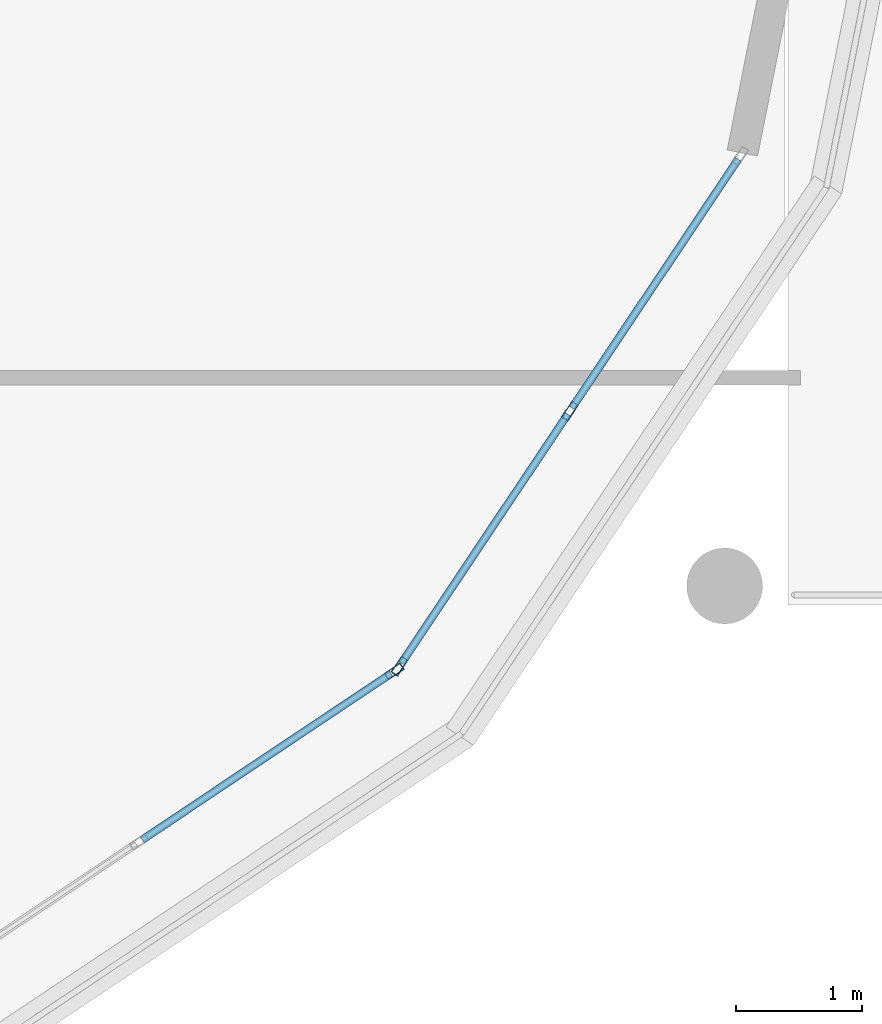
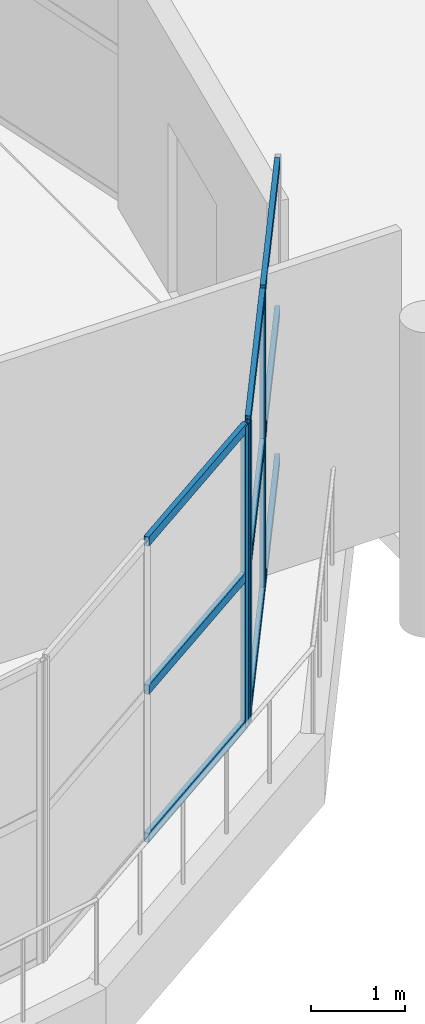
# One storey, part 24 of 50: 12 members, 2 elements without a shape of their own.
"""IFC4 building model written with IfcOpenShell, lengths in metres."""

from ifc_helpers import new_model, si_unit, direction, frame, origin, origin_2d, place, context, subcontext, project, spatial, hollow_rectangle, extrude, material, layer, layer_set, material_profile, profile_set, type_object, element, aggregate, save


model = new_model("IFC4")

# Units and contexts
model_context = context("Model", 3, precision=1e-05, world=origin(), true_north=direction((0.0, 1.0)))
body_context = subcontext(model_context, "Body", "Model", "MODEL_VIEW")
ifc_project = project(units=[si_unit("LENGTHUNIT", "METRE"), si_unit("AREAUNIT", "SQUARE_METRE"), si_unit("VOLUMEUNIT", "CUBIC_METRE"), si_unit("PLANEANGLEUNIT", "RADIAN"), si_unit("MASSUNIT", "GRAM", prefix="KILO")], contexts=[model_context])

# Site, building, storey
site_placement = place(None, origin())
site = spatial("IfcSite", under=ifc_project, at=site_placement, CompositionType="ELEMENT")
building_placement = place(site_placement, origin())
building = spatial("IfcBuilding", under=site, at=building_placement, Name="Zizhar Promenade General Hospital", CompositionType="ELEMENT")
storey_placement = place(building_placement, frame((0.0, 0.0, 30.60009765625)))
storey = spatial("IfcBuildingStorey", under=building, at=storey_placement, Name="L07", CompositionType="ELEMENT", Elevation=30.60009765625)

# Curtain wall, member
ifc_material_1 = material(Name="Anodised aluminium 6063-T6 and low-E glass", Category="aluminium")
ifc_layer = layer(ifc_material_1, 0.159912109375)
ifc_layer_set = layer_set([ifc_layer], Name="Anodised aluminium 6063-T6 and low-E glass")
curtain_wall_type = type_object("IfcCurtainWallType", Name="CW-WARD-ARC", PredefinedType="NOTDEFINED", material=ifc_layer_set)
curtain_wall_1_placement = place(storey_placement, origin())
curtain_wall_1 = element("IfcCurtainWall", 1, at=curtain_wall_1_placement, inside=storey, type_object=curtain_wall_type, Name="Ward Semicircular End Glazing L07-02", PredefinedType="NOTDEFINED")
ifc_material_2 = material(Name="Anodised aluminium 6063-T6", Category="aluminium")
ifc_material_profile_1 = material_profile(ifc_material_2, hollow_rectangle(XDim=0.06005859375, YDim=0.14990234375, WallThickness=0.00390625, at=origin_2d()))
ifc_profile_set_1 = profile_set([ifc_material_profile_1], Name="Anodised aluminium 6063-T6")
member_type_1 = type_object("IfcMemberType", Name="CWM-ALU-150x60", PredefinedType="MULLION", material=ifc_profile_set_1)
member_1_placement = place(storey_placement, frame((116.08447265625, 3.673828125, 0.0), z_axis=(0.0, 0.0, 1.0), x_axis=(0.555582352095, -0.831461514468, 0.0)))
member_1 = element("IfcMember", 2, at=member_1_placement, type_object=member_type_1, Name="CW-12 mullion 1", PredefinedType="MULLION", context=body_context, shape_type="SweptSolid", body=[
    extrude(hollow_rectangle(XDim=0.06005859375, YDim=0.14990234375, WallThickness=0.00390625, at=origin_2d()), origin(), (0.0, 0.0, 1.0), 3.89990234375),
])

# Curtain wall, members
curtain_wall_2_placement = place(storey_placement, origin())
curtain_wall_2 = element("IfcCurtainWall", 3, at=curtain_wall_2_placement, inside=storey, type_object=curtain_wall_type, Name="Ward Semicircular End Glazing L07-03", PredefinedType="NOTDEFINED")
member_2_placement = place(storey_placement, frame((117.47509765625, 5.734375, 0.0), z_axis=(0.0, 0.0, 1.0), x_axis=(0.831461514468, -0.555582352095, 0.0)))
member_2 = element("IfcMember", 4, at=member_2_placement, type_object=member_type_1, Name="CW-12 mullion 2", PredefinedType="MULLION", context=body_context, shape_type="SweptSolid", body=[
    extrude(hollow_rectangle(XDim=0.06005859375, YDim=0.14990234375, WallThickness=0.00390625, at=origin_2d()), origin(), (0.0, 0.0, 1.0), 3.89990234375),
])
member_3_placement = place(storey_placement, frame((116.126220703125, 3.71533203125, 0.0), z_axis=(0.0, 0.0, 1.0), x_axis=(0.831461514468, -0.555582352095, 0.0)))
member_3 = element("IfcMember", 5, at=member_3_placement, type_object=member_type_1, Name="CW-12 mullion 3", PredefinedType="MULLION", context=body_context, shape_type="SweptSolid", body=[
    extrude(hollow_rectangle(XDim=0.06005859375, YDim=0.14990234375, WallThickness=0.00390625, at=origin_2d()), origin(), (0.0, 0.0, 1.0), 3.89990234375),
])

# Member
ifc_material_3 = material(Name="Anodised aluminium 6063-T6", Category="aluminium")
ifc_material_profile_2 = material_profile(ifc_material_3, hollow_rectangle(XDim=0.06005859375, YDim=0.1201171875, WallThickness=0.00390625, at=origin_2d()))
ifc_profile_set_2 = profile_set([ifc_material_profile_2], Name="Anodised aluminium 6063-T6")
member_type_2 = type_object("IfcMemberType", Name="CWT-ALU-120x60", PredefinedType="USERDEFINED", material=ifc_profile_set_2)
member_4_placement = place(storey_placement, frame((116.0595703125, 3.6572265625, 0.02978515625), z_axis=(-0.831462978956, -0.555580160396, 0.0), x_axis=(0.555580160396, -0.831462978956, 0.0)))
member_4 = element("IfcMember", 6, at=member_4_placement, type_object=member_type_2, Name="CW-12 transom 1.1", ObjectType="TRANSOM", PredefinedType="USERDEFINED", context=body_context, shape_type="SweptSolid", body=[
    extrude(hollow_rectangle(XDim=0.06005859375, YDim=0.1201171875, WallThickness=0.00390625, at=origin_2d()), origin(), (0.0, 0.0, 1.0), 2.3681640625),
])

member_5_placement = place(storey_placement, frame((116.0595703125, 3.6572265625, 1.949951171875), z_axis=(-0.831462978956, -0.555580160396, 0.0), x_axis=(0.555580160396, -0.831462978956, 0.0)))
member_5 = element("IfcMember", 7, at=member_5_placement, type_object=member_type_2, Name="CW-12 transom 1.2", ObjectType="TRANSOM", PredefinedType="USERDEFINED", context=body_context, shape_type="SweptSolid", body=[
    extrude(hollow_rectangle(XDim=0.06005859375, YDim=0.1201171875, WallThickness=0.00390625, at=origin_2d()), origin(), (0.0, 0.0, 1.0), 2.3681640625),
])

member_6_placement = place(storey_placement, frame((116.0595703125, 3.6572265625, 3.869873046875), z_axis=(-0.831462978956, -0.555580160396, 0.0), x_axis=(0.555580160396, -0.831462978956, 0.0)))
member_6 = element("IfcMember", 8, at=member_6_placement, type_object=member_type_2, Name="CW-12 transom 1.3", ObjectType="TRANSOM", PredefinedType="USERDEFINED", context=body_context, shape_type="SweptSolid", body=[
    extrude(hollow_rectangle(XDim=0.06005859375, YDim=0.1201171875, WallThickness=0.00390625, at=origin_2d()), origin(), (0.0, 0.0, 1.0), 2.3681640625),
])

aggregate(curtain_wall_1, [member_1, member_4, member_5, member_6])

member_7_placement = place(storey_placement, frame((118.8076171875, 7.728271484375, 0.02978515625), z_axis=(-0.555580160396, -0.831462978956, 0.0), x_axis=(0.831462978956, -0.555580160396, 0.0)))
member_7 = element("IfcMember", 9, at=member_7_placement, type_object=member_type_2, Name="CW-12 transom 1.1", ObjectType="TRANSOM", PredefinedType="USERDEFINED", context=body_context, shape_type="SweptSolid", body=[
    extrude(hollow_rectangle(XDim=0.06005859375, YDim=0.1201171875, WallThickness=0.00390625, at=origin_2d()), origin(), (0.0, 0.0, 1.0), 2.3681640625),
])

member_8_placement = place(storey_placement, frame((118.8076171875, 7.728271484375, 1.949951171875), z_axis=(-0.555580160396, -0.831462978956, 0.0), x_axis=(0.831462978956, -0.555580160396, 0.0)))
member_8 = element("IfcMember", 10, at=member_8_placement, type_object=member_type_2, Name="CW-12 transom 1.2", ObjectType="TRANSOM", PredefinedType="USERDEFINED", context=body_context, shape_type="SweptSolid", body=[
    extrude(hollow_rectangle(XDim=0.06005859375, YDim=0.1201171875, WallThickness=0.00390625, at=origin_2d()), origin(), (0.0, 0.0, 1.0), 2.3681640625),
])

member_9_placement = place(storey_placement, frame((118.8076171875, 7.728271484375, 3.869873046875), z_axis=(-0.555580160396, -0.831462978956, 0.0), x_axis=(0.831462978956, -0.555580160396, 0.0)))
member_9 = element("IfcMember", 11, at=member_9_placement, type_object=member_type_2, Name="CW-12 transom 1.3", ObjectType="TRANSOM", PredefinedType="USERDEFINED", context=body_context, shape_type="SweptSolid", body=[
    extrude(hollow_rectangle(XDim=0.06005859375, YDim=0.1201171875, WallThickness=0.00390625, at=origin_2d()), origin(), (0.0, 0.0, 1.0), 2.3681640625),
])

member_10_placement = place(storey_placement, frame((117.45849609375, 5.70947265625, 0.02978515625), z_axis=(-0.555580160396, -0.831462978956, 0.0), x_axis=(0.831462978956, -0.555580160396, 0.0)))
member_10 = element("IfcMember", 12, at=member_10_placement, type_object=member_type_2, Name="CW-12 transom 2.1", ObjectType="TRANSOM", PredefinedType="USERDEFINED", context=body_context, shape_type="SweptSolid", body=[
    extrude(hollow_rectangle(XDim=0.06005859375, YDim=0.1201171875, WallThickness=0.00390625, at=origin_2d()), origin(), (0.0, 0.0, 1.0), 2.3681640625),
])

member_11_placement = place(storey_placement, frame((117.45849609375, 5.70947265625, 1.949951171875), z_axis=(-0.555580160396, -0.831462978956, 0.0), x_axis=(0.831462978956, -0.555580160396, 0.0)))
member_11 = element("IfcMember", 13, at=member_11_placement, type_object=member_type_2, Name="CW-12 transom 2.2", ObjectType="TRANSOM", PredefinedType="USERDEFINED", context=body_context, shape_type="SweptSolid", body=[
    extrude(hollow_rectangle(XDim=0.06005859375, YDim=0.1201171875, WallThickness=0.00390625, at=origin_2d()), origin(), (0.0, 0.0, 1.0), 2.3681640625),
])

member_12_placement = place(storey_placement, frame((117.45849609375, 5.70947265625, 3.869873046875), z_axis=(-0.555580160396, -0.831462978956, 0.0), x_axis=(0.831462978956, -0.555580160396, 0.0)))
member_12 = element("IfcMember", 14, at=member_12_placement, type_object=member_type_2, Name="CW-12 transom 2.3", ObjectType="TRANSOM", PredefinedType="USERDEFINED", context=body_context, shape_type="SweptSolid", body=[
    extrude(hollow_rectangle(XDim=0.06005859375, YDim=0.1201171875, WallThickness=0.00390625, at=origin_2d()), origin(), (0.0, 0.0, 1.0), 2.3681640625),
])

aggregate(curtain_wall_2, [member_2, member_3, member_7, member_8, member_9, member_10, member_11, member_12])

save(model, "model.ifc")
